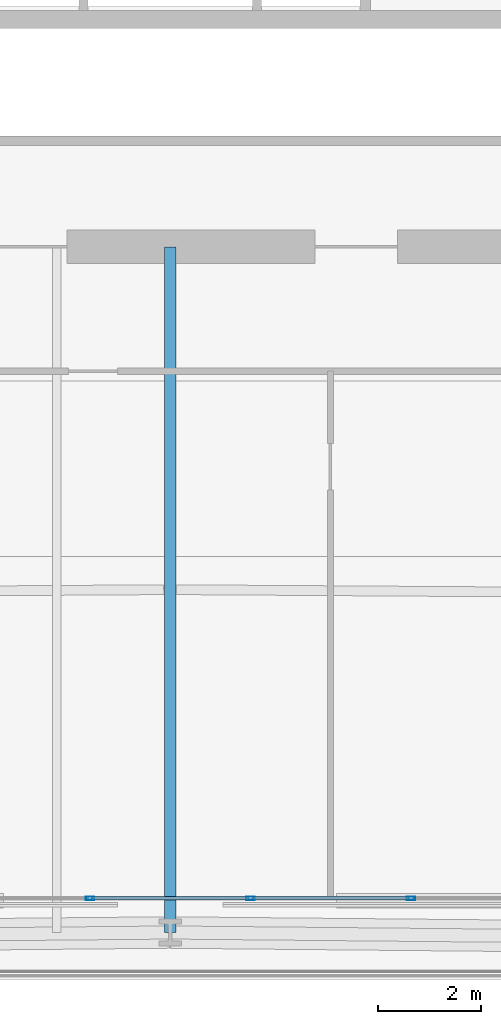
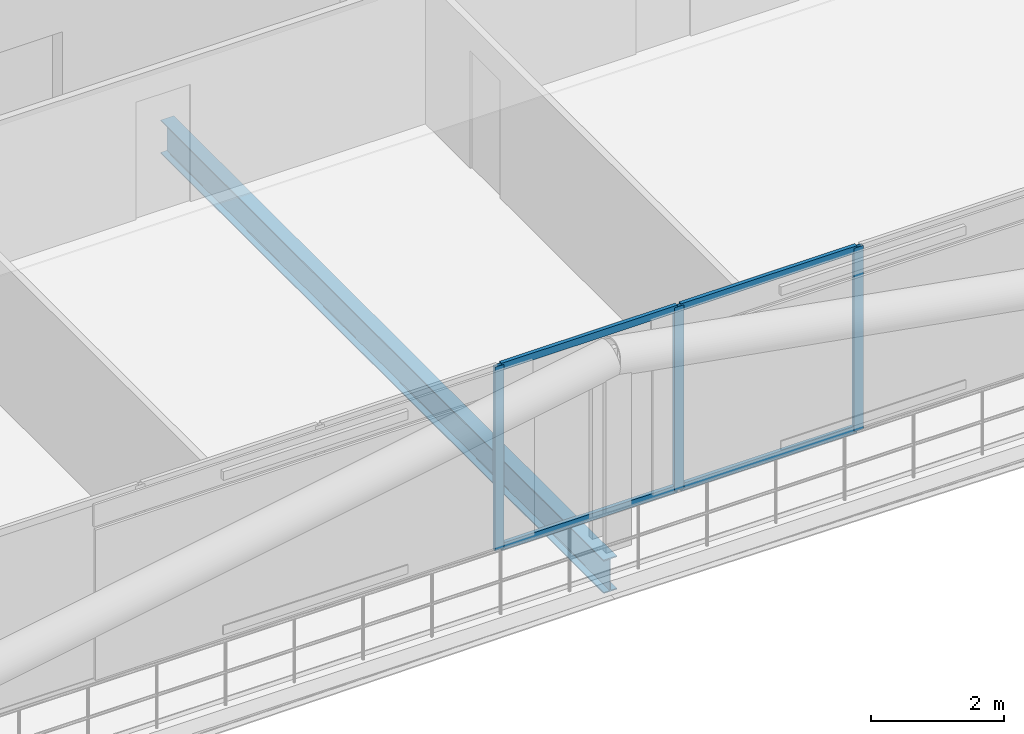
# One storey, part 7 of 34: 7 members, 1 beam, 1 element without a shape of its own.
"""IFC4 building model written with IfcOpenShell, lengths in metres."""

from ifc_helpers import new_model, si_unit, direction, frame, origin, origin_2d, place, context, subcontext, project, spatial, hollow_rectangle, i_section, extrude, material, layer, layer_set, material_profile, profile_set, type_object, element, aggregate, save


model = new_model("IFC4")

# Units and contexts
model_context = context("Model", 3, precision=1e-05, world=origin(), true_north=direction((0.0, 1.0)))
body_context = subcontext(model_context, "Body", "Model", "MODEL_VIEW")
ifc_project = project(units=[si_unit("LENGTHUNIT", "METRE"), si_unit("AREAUNIT", "SQUARE_METRE"), si_unit("VOLUMEUNIT", "CUBIC_METRE"), si_unit("PLANEANGLEUNIT", "RADIAN"), si_unit("MASSUNIT", "GRAM", prefix="KILO")], contexts=[model_context])

# Site, building, storey
site_placement = place(None, origin())
site = spatial("IfcSite", under=ifc_project, at=site_placement, CompositionType="ELEMENT")
building_placement = place(site_placement, origin())
building = spatial("IfcBuilding", under=site, at=building_placement, Name="Caelvoria Tower", CompositionType="ELEMENT")
storey_placement = place(building_placement, frame((0.0, 0.0, 28.0)))
storey = spatial("IfcBuildingStorey", under=building, at=storey_placement, Name="L06", CompositionType="ELEMENT", Elevation=28.0)

# Curtain wall, members
ifc_material_1 = material(Name="Anodised Bronze Aluminium and Low-E Glass", Category="aluminium")
ifc_layer = layer(ifc_material_1, 0.18505859375, Name="Anodised Bronze Aluminium and Low-E Glass")
ifc_layer_set = layer_set([ifc_layer], Name="CW System 2 Lower Tower Bronze Unitised Facade - Anodised Bronze Aluminium and Low-E Glass")
curtain_wall_type = type_object("IfcCurtainWallType", Name="CW System 2 Lower Tower Bronze Unitised Facade", PredefinedType="NOTDEFINED", material=ifc_layer_set)
curtain_wall_placement = place(storey_placement, origin())
curtain_wall = element("IfcCurtainWall", 1, at=curtain_wall_placement, inside=storey, type_object=curtain_wall_type, Name="CW-02 Curtain Wall L06-E0", PredefinedType="NOTDEFINED")
ifc_material_2 = material(Name="Anodised Bronze Architectural Aluminium", Category="aluminium")
ifc_material_profile_1 = material_profile(ifc_material_2, hollow_rectangle(XDim=0.06494140625, YDim=0.159912109375, WallThickness=0.00390625, at=origin_2d()), Name="Anodised Bronze Architectural Aluminium")
ifc_profile_set_1 = profile_set([ifc_material_profile_1], Name="CW_MULL_65X160 - Anodised Bronze Architectural Aluminium")
member_type_1 = type_object("IfcMemberType", Name="Curtain Wall Mullion 65x160 Bronze Aluminium", PredefinedType="MULLION", material=ifc_profile_set_1)
member_1_placement = place(storey_placement, frame((44.446044921875, 11.3798828125, 0.0), z_axis=(0.0, 0.0, 1.0), x_axis=(0.0, 1.0, 0.0)))
member_1 = element("IfcMember", 2, at=member_1_placement, type_object=member_type_1, Name="CW-02 mullion 7", PredefinedType="MULLION", context=body_context, shape_type="SweptSolid", body=[
    extrude(hollow_rectangle(XDim=0.06494140625, YDim=0.159912109375, WallThickness=0.00390625, at=origin_2d()), origin(), (0.0, 0.0, 1.0), 3.360107421875),
])
member_2_placement = place(storey_placement, frame((47.553955078125, 11.3798828125, 0.0), z_axis=(0.0, 0.0, 1.0), x_axis=(0.0, 1.0, 0.0)))
member_2 = element("IfcMember", 3, at=member_2_placement, type_object=member_type_1, Name="CW-02 mullion 8", PredefinedType="MULLION", context=body_context, shape_type="SweptSolid", body=[
    extrude(hollow_rectangle(XDim=0.06494140625, YDim=0.159912109375, WallThickness=0.00390625, at=origin_2d()), origin(), (0.0, 0.0, 1.0), 3.360107421875),
])
member_3_placement = place(storey_placement, frame((50.66162109375, 11.3798828125, 0.0), z_axis=(0.0, 0.0, 1.0), x_axis=(0.0, 1.0, 0.0)))
member_3 = element("IfcMember", 4, at=member_3_placement, type_object=member_type_1, Name="CW-02 mullion 9", PredefinedType="MULLION", context=body_context, shape_type="SweptSolid", body=[
    extrude(hollow_rectangle(XDim=0.06494140625, YDim=0.159912109375, WallThickness=0.00390625, at=origin_2d()), origin(), (0.0, 0.0, 1.0), 3.360107421875),
])
ifc_material_profile_2 = material_profile(ifc_material_2, hollow_rectangle(XDim=0.06494140625, YDim=0.1298828125, WallThickness=0.00341796875, at=origin_2d()), Name="Anodised Bronze Architectural Aluminium")
ifc_profile_set_2 = profile_set([ifc_material_profile_2], Name="CW_TRAN_65X130 - Anodised Bronze Architectural Aluminium")
member_type_2 = type_object("IfcMemberType", Name="Curtain Wall Transom 65x130 Bronze Aluminium", PredefinedType="USERDEFINED", material=ifc_profile_set_2)
member_4_placement = place(storey_placement, frame((44.478759765625, 11.3798828125, 0.032470703125), z_axis=(1.0, 0.0, 0.0), x_axis=(0.0, 1.0, 0.0)))
member_4 = element("IfcMember", 5, at=member_4_placement, type_object=member_type_2, Name="CW-02 transom 7.1", ObjectType="TRANSOM", PredefinedType="USERDEFINED", context=body_context, shape_type="SweptSolid", body=[
    extrude(hollow_rectangle(XDim=0.06494140625, YDim=0.1298828125, WallThickness=0.00341796875, at=origin_2d()), origin(), (0.0, 0.0, 1.0), 3.04248046875),
])
member_5_placement = place(storey_placement, frame((44.478759765625, 11.3798828125, 3.327392578125), z_axis=(1.0, 0.0, 0.0), x_axis=(0.0, 1.0, 0.0)))
member_5 = element("IfcMember", 6, at=member_5_placement, type_object=member_type_2, Name="CW-02 transom 7.2", ObjectType="TRANSOM", PredefinedType="USERDEFINED", context=body_context, shape_type="SweptSolid", body=[
    extrude(hollow_rectangle(XDim=0.06494140625, YDim=0.1298828125, WallThickness=0.00341796875, at=origin_2d()), origin(), (0.0, 0.0, 1.0), 3.04248046875),
])
member_6_placement = place(storey_placement, frame((47.58642578125, 11.3798828125, 0.032470703125), z_axis=(1.0, 0.0, 0.0), x_axis=(0.0, 1.0, 0.0)))
member_6 = element("IfcMember", 7, at=member_6_placement, type_object=member_type_2, Name="CW-02 transom 8.1", ObjectType="TRANSOM", PredefinedType="USERDEFINED", context=body_context, shape_type="SweptSolid", body=[
    extrude(hollow_rectangle(XDim=0.06494140625, YDim=0.1298828125, WallThickness=0.00341796875, at=origin_2d()), origin(), (0.0, 0.0, 1.0), 3.042724609375),
])
member_7_placement = place(storey_placement, frame((47.58642578125, 11.3798828125, 3.327392578125), z_axis=(1.0, 0.0, 0.0), x_axis=(0.0, 1.0, 0.0)))
member_7 = element("IfcMember", 8, at=member_7_placement, type_object=member_type_2, Name="CW-02 transom 8.2", ObjectType="TRANSOM", PredefinedType="USERDEFINED", context=body_context, shape_type="SweptSolid", body=[
    extrude(hollow_rectangle(XDim=0.06494140625, YDim=0.1298828125, WallThickness=0.00341796875, at=origin_2d()), origin(), (0.0, 0.0, 1.0), 3.042724609375),
])
aggregate(curtain_wall, [member_1, member_2, member_3, member_4, member_5, member_6, member_7])

# Beam
ifc_material_3 = material(Name="Structural Steel ASTM A992 Gr.50", Category="steel")
ifc_material_profile_3 = material_profile(ifc_material_3, i_section(OverallWidth=0.22900390625, OverallDepth=0.612060546875, WebThickness=0.011962890625, FlangeThickness=0.01953125, FilletRadius=0.01806640625, at=origin_2d()), Name="Structural Steel ASTM A992 Gr.50")
ifc_profile_set_3 = profile_set([ifc_material_profile_3], Name="W610X125 - Structural Steel ASTM A992 Gr.50")
beam_type = type_object("IfcBeamType", Name="Primary Radial Floor Girder W610X125", PredefinedType="BEAM", material=ifc_profile_set_3)
beam_placement = place(storey_placement, frame((46.0, 24.0, -0.6259765625), z_axis=(0.0, -1.0, 0.0), x_axis=(1.0, 0.0, 0.0)))
element("IfcBeam", 9, at=beam_placement, inside=storey, type_object=beam_type, Name="Primary Floor Girder L06-01", PredefinedType="BEAM", context=body_context, shape_type="SweptSolid", body=[
    extrude(i_section(OverallWidth=0.22900390625, OverallDepth=0.612060546875, WebThickness=0.011962890625, FlangeThickness=0.01953125, FilletRadius=0.01806640625, at=origin_2d()), origin(), (0.0, 0.0, 1.0), 13.280029296875),
])

save(model, "model.ifc")
